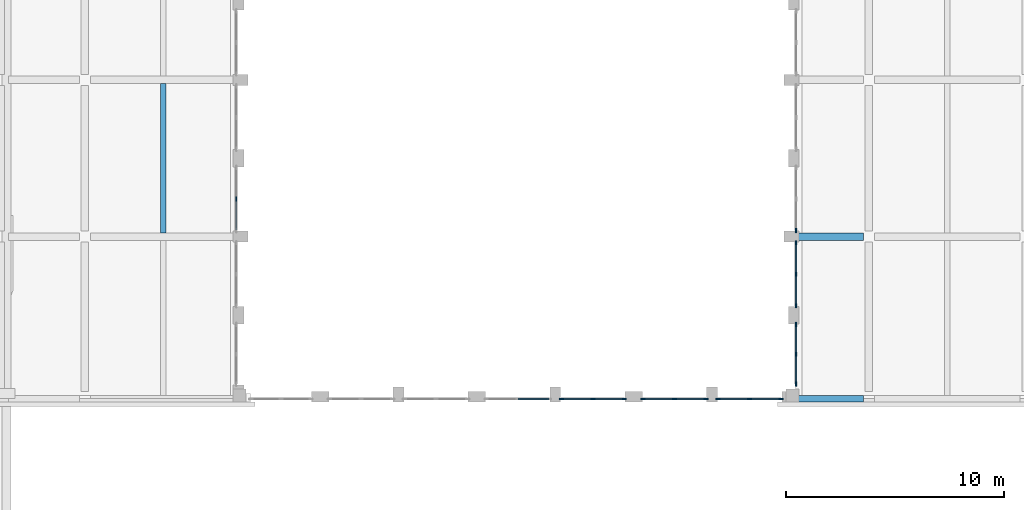
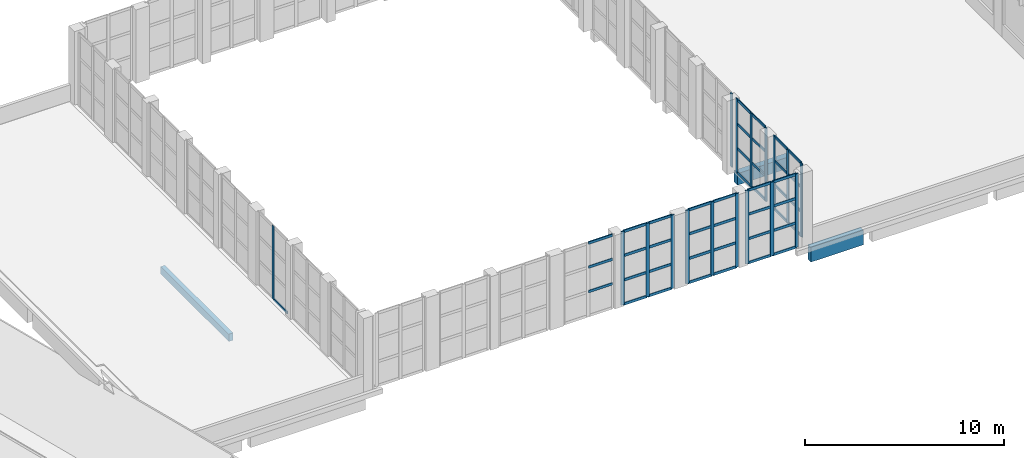
# One storey, part 3 of 44: 61 members, 3 beams, 8 elements without a shape of their own.
"""IFC4 building model written with IfcOpenShell, lengths in metres."""

from ifc_helpers import new_model, si_unit, direction, frame, origin, origin_2d, place, context, subcontext, project, spatial, rectangle, extrude, material, layer, layer_set, material_profile, profile_set, type_object, element, aggregate, save


model = new_model("IFC4")

# Units and contexts
model_context = context("Model", 3, precision=1e-05, world=origin(), true_north=direction((0.0, 1.0)))
body_context = subcontext(model_context, "Body", "Model", "MODEL_VIEW")
ifc_project = project(units=[si_unit("LENGTHUNIT", "METRE"), si_unit("AREAUNIT", "SQUARE_METRE"), si_unit("VOLUMEUNIT", "CUBIC_METRE"), si_unit("PLANEANGLEUNIT", "RADIAN"), si_unit("MASSUNIT", "GRAM", prefix="KILO")], contexts=[model_context])

# Site, building, storey
site_placement = place(None, origin())
site = spatial("IfcSite", under=ifc_project, at=site_placement, CompositionType="ELEMENT")
building_placement = place(site_placement, origin())
building = spatial("IfcBuilding", under=site, at=building_placement, Name="Ussher Court Research Institute", CompositionType="ELEMENT")
storey_placement = place(building_placement, frame((0.0, 0.0, 18.89990234375)))
storey = spatial("IfcBuildingStorey", under=building, at=storey_placement, Name="L04", CompositionType="ELEMENT", Elevation=18.89990234375)

# Curtain wall, member
ifc_material_1 = material(Name="Bronze anodised aluminium with low-e glass", Category="aluminium")
ifc_layer = layer(ifc_material_1, 0.159912109375)
ifc_layer_set = layer_set([ifc_layer], Name="Bronze anodised aluminium with low-e glass")
curtain_wall_type = type_object("IfcCurtainWallType", Name="Curtain wall atrium clerestory tall glazing", PredefinedType="NOTDEFINED", material=ifc_layer_set)
curtain_wall_1_placement = place(storey_placement, origin())
curtain_wall_1 = element("IfcCurtainWall", 1, at=curtain_wall_1_placement, inside=storey, type_object=curtain_wall_type, Name="Curtain wall CW3 L04", PredefinedType="NOTDEFINED")
ifc_material_2 = material(Name="Bronze anodised aluminium", Category="aluminium")
ifc_material_profile_1 = material_profile(ifc_material_2, rectangle(XDim=0.06005859375, YDim=0.199951171875, at=origin_2d()), Name="Mullion 60x200")
ifc_profile_set_1 = profile_set([ifc_material_profile_1], Name="Bronze anodised aluminium")
member_type_1 = type_object("IfcMemberType", Name="Mullion 60x200", PredefinedType="MULLION", material=ifc_profile_set_1)
member_1_placement = place(storey_placement, frame((64.449951171875, 18.679931640625, 0.0), z_axis=(0.0, 0.0, 1.0), x_axis=(1.0, 0.0, 0.0)))
member_1 = element("IfcMember", 2, at=member_1_placement, type_object=member_type_1, Name="CW3 mullion 3", PredefinedType="MULLION", context=body_context, shape_type="SweptSolid", body=[
    extrude(rectangle(XDim=0.06005859375, YDim=0.199951171875, at=origin_2d()), origin(), (0.0, 0.0, 1.0), 4.5),
])
aggregate(curtain_wall_1, [member_1])

# Curtain wall, members
curtain_wall_2_placement = place(storey_placement, origin())
curtain_wall_2 = element("IfcCurtainWall", 3, at=curtain_wall_2_placement, inside=storey, type_object=curtain_wall_type, Name="Curtain wall CW3 L04", PredefinedType="NOTDEFINED")
member_2_placement = place(storey_placement, frame((64.449951171875, 18.1201171875, 0.0), z_axis=(0.0, 0.0, 1.0), x_axis=(1.0, 0.0, 0.0)))
member_2 = element("IfcMember", 4, at=member_2_placement, type_object=member_type_1, Name="CW3 mullion 1", PredefinedType="MULLION", context=body_context, shape_type="SweptSolid", body=[
    extrude(rectangle(XDim=0.06005859375, YDim=0.199951171875, at=origin_2d()), origin(), (0.0, 0.0, 1.0), 4.5),
])
member_3_placement = place(storey_placement, frame((64.449951171875, 16.675048828125, 0.0), z_axis=(0.0, 0.0, 1.0), x_axis=(1.0, 0.0, 0.0)))
member_3 = element("IfcMember", 5, at=member_3_placement, type_object=member_type_1, Name="CW3 mullion 2", PredefinedType="MULLION", context=body_context, shape_type="SweptSolid", body=[
    extrude(rectangle(XDim=0.06005859375, YDim=0.199951171875, at=origin_2d()), origin(), (0.0, 0.0, 1.0), 4.5),
])
member_4_placement = place(storey_placement, frame((64.449951171875, 15.22998046875, 0.0), z_axis=(0.0, 0.0, 1.0), x_axis=(1.0, 0.0, 0.0)))
member_4 = element("IfcMember", 6, at=member_4_placement, type_object=member_type_1, Name="CW3 mullion 3", PredefinedType="MULLION", context=body_context, shape_type="SweptSolid", body=[
    extrude(rectangle(XDim=0.06005859375, YDim=0.199951171875, at=origin_2d()), origin(), (0.0, 0.0, 1.0), 4.5),
])

curtain_wall_3_placement = place(storey_placement, origin())
curtain_wall_3 = element("IfcCurtainWall", 7, at=curtain_wall_3_placement, inside=storey, type_object=curtain_wall_type, Name="Curtain wall CW3 L04", PredefinedType="NOTDEFINED")
member_5_placement = place(storey_placement, frame((64.449951171875, 14.3701171875, 0.0), z_axis=(0.0, 0.0, 1.0), x_axis=(1.0, 0.0, 0.0)))
member_5 = element("IfcMember", 8, at=member_5_placement, type_object=member_type_1, Name="CW3 mullion 1", PredefinedType="MULLION", context=body_context, shape_type="SweptSolid", body=[
    extrude(rectangle(XDim=0.06005859375, YDim=0.199951171875, at=origin_2d()), origin(), (0.0, 0.0, 1.0), 4.5),
])
member_6_placement = place(storey_placement, frame((64.449951171875, 13.0, 0.0), z_axis=(0.0, 0.0, 1.0), x_axis=(1.0, 0.0, 0.0)))
member_6 = element("IfcMember", 9, at=member_6_placement, type_object=member_type_1, Name="CW3 mullion 2", PredefinedType="MULLION", context=body_context, shape_type="SweptSolid", body=[
    extrude(rectangle(XDim=0.06005859375, YDim=0.199951171875, at=origin_2d()), origin(), (0.0, 0.0, 1.0), 4.5),
])
member_7_placement = place(storey_placement, frame((64.449951171875, 11.6298828125, 0.0), z_axis=(0.0, 0.0, 1.0), x_axis=(1.0, 0.0, 0.0)))
member_7 = element("IfcMember", 10, at=member_7_placement, type_object=member_type_1, Name="CW3 mullion 3", PredefinedType="MULLION", context=body_context, shape_type="SweptSolid", body=[
    extrude(rectangle(XDim=0.06005859375, YDim=0.199951171875, at=origin_2d()), origin(), (0.0, 0.0, 1.0), 4.5),
])

curtain_wall_4_placement = place(storey_placement, origin())
curtain_wall_4 = element("IfcCurtainWall", 11, at=curtain_wall_4_placement, inside=storey, type_object=curtain_wall_type, Name="Curtain wall CW3 L04", PredefinedType="NOTDEFINED")
member_8_placement = place(storey_placement, frame((63.77001953125, 10.949951171875, 0.0), z_axis=(0.0, 0.0, 1.0), x_axis=(0.0, -1.0, 0.0)))
member_8 = element("IfcMember", 12, at=member_8_placement, type_object=member_type_1, Name="CW3 mullion 1", PredefinedType="MULLION", context=body_context, shape_type="SweptSolid", body=[
    extrude(rectangle(XDim=0.06005859375, YDim=0.199951171875, at=origin_2d()), origin(), (0.0, 0.0, 1.0), 4.5),
])
member_9_placement = place(storey_placement, frame((62.324951171875, 10.949951171875, 0.0), z_axis=(0.0, 0.0, 1.0), x_axis=(0.0, -1.0, 0.0)))
member_9 = element("IfcMember", 13, at=member_9_placement, type_object=member_type_1, Name="CW3 mullion 2", PredefinedType="MULLION", context=body_context, shape_type="SweptSolid", body=[
    extrude(rectangle(XDim=0.06005859375, YDim=0.199951171875, at=origin_2d()), origin(), (0.0, 0.0, 1.0), 4.5),
])
member_10_placement = place(storey_placement, frame((60.8798828125, 10.949951171875, 0.0), z_axis=(0.0, 0.0, 1.0), x_axis=(0.0, -1.0, 0.0)))
member_10 = element("IfcMember", 14, at=member_10_placement, type_object=member_type_1, Name="CW3 mullion 3", PredefinedType="MULLION", context=body_context, shape_type="SweptSolid", body=[
    extrude(rectangle(XDim=0.06005859375, YDim=0.199951171875, at=origin_2d()), origin(), (0.0, 0.0, 1.0), 4.5),
])

curtain_wall_5_placement = place(storey_placement, origin())
curtain_wall_5 = element("IfcCurtainWall", 15, at=curtain_wall_5_placement, inside=storey, type_object=curtain_wall_type, Name="Curtain wall CW3 L04", PredefinedType="NOTDEFINED")
member_11_placement = place(storey_placement, frame((60.320068359375, 10.949951171875, 0.0), z_axis=(0.0, 0.0, 1.0), x_axis=(0.0, -1.0, 0.0)))
member_11 = element("IfcMember", 16, at=member_11_placement, type_object=member_type_1, Name="CW3 mullion 1", PredefinedType="MULLION", context=body_context, shape_type="SweptSolid", body=[
    extrude(rectangle(XDim=0.06005859375, YDim=0.199951171875, at=origin_2d()), origin(), (0.0, 0.0, 1.0), 4.5),
])
member_12_placement = place(storey_placement, frame((58.875, 10.949951171875, 0.0), z_axis=(0.0, 0.0, 1.0), x_axis=(0.0, -1.0, 0.0)))
member_12 = element("IfcMember", 17, at=member_12_placement, type_object=member_type_1, Name="CW3 mullion 2", PredefinedType="MULLION", context=body_context, shape_type="SweptSolid", body=[
    extrude(rectangle(XDim=0.06005859375, YDim=0.199951171875, at=origin_2d()), origin(), (0.0, 0.0, 1.0), 4.5),
])
member_13_placement = place(storey_placement, frame((57.429931640625, 10.949951171875, 0.0), z_axis=(0.0, 0.0, 1.0), x_axis=(0.0, -1.0, 0.0)))
member_13 = element("IfcMember", 18, at=member_13_placement, type_object=member_type_1, Name="CW3 mullion 3", PredefinedType="MULLION", context=body_context, shape_type="SweptSolid", body=[
    extrude(rectangle(XDim=0.06005859375, YDim=0.199951171875, at=origin_2d()), origin(), (0.0, 0.0, 1.0), 4.5),
])

curtain_wall_6_placement = place(storey_placement, origin())
curtain_wall_6 = element("IfcCurtainWall", 19, at=curtain_wall_6_placement, inside=storey, type_object=curtain_wall_type, Name="Curtain wall CW3 L04", PredefinedType="NOTDEFINED")
member_14_placement = place(storey_placement, frame((56.570068359375, 10.949951171875, 0.0), z_axis=(0.0, 0.0, 1.0), x_axis=(0.0, -1.0, 0.0)))
member_14 = element("IfcMember", 20, at=member_14_placement, type_object=member_type_1, Name="CW3 mullion 1", PredefinedType="MULLION", context=body_context, shape_type="SweptSolid", body=[
    extrude(rectangle(XDim=0.06005859375, YDim=0.199951171875, at=origin_2d()), origin(), (0.0, 0.0, 1.0), 4.5),
])
member_15_placement = place(storey_placement, frame((55.125, 10.949951171875, 0.0), z_axis=(0.0, 0.0, 1.0), x_axis=(0.0, -1.0, 0.0)))
member_15 = element("IfcMember", 21, at=member_15_placement, type_object=member_type_1, Name="CW3 mullion 2", PredefinedType="MULLION", context=body_context, shape_type="SweptSolid", body=[
    extrude(rectangle(XDim=0.06005859375, YDim=0.199951171875, at=origin_2d()), origin(), (0.0, 0.0, 1.0), 4.5),
])
member_16_placement = place(storey_placement, frame((53.679931640625, 10.949951171875, 0.0), z_axis=(0.0, 0.0, 1.0), x_axis=(0.0, -1.0, 0.0)))
member_16 = element("IfcMember", 22, at=member_16_placement, type_object=member_type_1, Name="CW3 mullion 3", PredefinedType="MULLION", context=body_context, shape_type="SweptSolid", body=[
    extrude(rectangle(XDim=0.06005859375, YDim=0.199951171875, at=origin_2d()), origin(), (0.0, 0.0, 1.0), 4.5),
])

# Curtain wall, member
curtain_wall_7_placement = place(storey_placement, origin())
curtain_wall_7 = element("IfcCurtainWall", 23, at=curtain_wall_7_placement, inside=storey, type_object=curtain_wall_type, Name="Curtain wall CW3 L04", PredefinedType="NOTDEFINED")
member_17_placement = place(storey_placement, frame((38.75, 20.125, 0.0), z_axis=(0.0, 0.0, 1.0), x_axis=(-1.0, 0.0, 0.0)))
member_17 = element("IfcMember", 24, at=member_17_placement, type_object=member_type_1, Name="CW3 mullion 2", PredefinedType="MULLION", context=body_context, shape_type="SweptSolid", body=[
    extrude(rectangle(XDim=0.06005859375, YDim=0.199951171875, at=origin_2d()), origin(), (0.0, 0.0, 1.0), 4.5),
])

# Beams
ifc_material_3 = material(Name="Concrete C35/45", Category="concrete")
ifc_material_profile_2 = material_profile(ifc_material_3, rectangle(XDim=0.25, YDim=0.449951171875, at=origin_2d()), Name="RC 250x450")
ifc_profile_set_2 = profile_set([ifc_material_profile_2], Name="Concrete C35/45")
beam_type_1 = type_object("IfcBeamType", Name="RC 250x450 beam", PredefinedType="BEAM", material=ifc_profile_set_2)
beam_1_placement = place(storey_placement, frame((35.39990234375, 18.574951171875, -0.224853515625), z_axis=(0.0, 1.0, 0.0), x_axis=(-1.0, 0.0, 0.0)))
element("IfcBeam", 25, at=beam_1_placement, inside=storey, type_object=beam_type_1, Name="B1 V7 L04-02", PredefinedType="BEAM", context=body_context, shape_type="SweptSolid", body=[
    extrude(rectangle(XDim=0.25, YDim=0.449951171875, at=origin_2d()), origin(), (0.0, 0.0, 1.0), 6.85009765625),
])
ifc_material_4 = material(Name="Concrete C35/45", Category="concrete")
ifc_material_profile_3 = material_profile(ifc_material_4, rectangle(XDim=0.300048828125, YDim=0.89990234375, at=origin_2d()), Name="RC 300x900")
ifc_profile_set_3 = profile_set([ifc_material_profile_3], Name="Concrete C35/45")
beam_type_2 = type_object("IfcBeamType", Name="RC 300x900 beam", PredefinedType="BEAM", material=ifc_profile_set_3)
beam_2_placement = place(storey_placement, frame((64.5, 10.949951171875, -0.64990234375), z_axis=(1.0, 0.0, 0.0), x_axis=(0.0, 1.0, 0.0)))
element("IfcBeam", 26, at=beam_2_placement, inside=storey, type_object=beam_type_2, Name="SB2 V7 L04-03", PredefinedType="BEAM", context=body_context, shape_type="SweptSolid", body=[
    extrude(rectangle(XDim=0.300048828125, YDim=0.89990234375, at=origin_2d()), origin(), (0.0, 0.0, 1.0), 3.050048828125),
])
ifc_material_5 = material(Name="Concrete C35/45", Category="concrete")
ifc_material_profile_4 = material_profile(ifc_material_5, rectangle(XDim=0.35009765625, YDim=0.699951171875, at=origin_2d()), Name="RC 350x700")
ifc_profile_set_4 = profile_set([ifc_material_profile_4], Name="Concrete C35/45")
beam_type_3 = type_object("IfcBeamType", Name="RC 350x700 beam", PredefinedType="BEAM", material=ifc_profile_set_4)
beam_3_placement = place(storey_placement, frame((64.550048828125, 18.39990234375, -0.5498046875), z_axis=(1.0, 0.0, 0.0), x_axis=(0.0, 1.0, 0.0)))
element("IfcBeam", 27, at=beam_3_placement, inside=storey, type_object=beam_type_3, Name="B16 V7 L04-03", PredefinedType="BEAM", context=body_context, shape_type="SweptSolid", body=[
    extrude(rectangle(XDim=0.35009765625, YDim=0.699951171875, at=origin_2d()), origin(), (0.0, 0.0, 1.0), 3.0),
])

# Member
ifc_material_6 = material(Name="Bronze anodised aluminium", Category="aluminium")
ifc_material_profile_5 = material_profile(ifc_material_6, rectangle(XDim=0.06005859375, YDim=0.159912109375, at=origin_2d()), Name="Transom 60x160")
ifc_profile_set_5 = profile_set([ifc_material_profile_5], Name="Bronze anodised aluminium")
member_type_2 = type_object("IfcMemberType", Name="Transom 60x160", PredefinedType="USERDEFINED", material=ifc_profile_set_5)
member_18_placement = place(storey_placement, frame((64.449951171875, 18.090087890625, 0.030029296875), z_axis=(0.0, -1.0, 0.0), x_axis=(1.0, 0.0, 0.0)))
member_18 = element("IfcMember", 28, at=member_18_placement, type_object=member_type_2, Name="CW3 transom 1.1", ObjectType="TRANSOM", PredefinedType="USERDEFINED", context=body_context, shape_type="SweptSolid", body=[
    extrude(rectangle(XDim=0.06005859375, YDim=0.159912109375, at=origin_2d()), origin(), (0.0, 0.0, 1.0), 1.385009765625),
])

member_19_placement = place(storey_placement, frame((64.449951171875, 18.090087890625, 1.5), z_axis=(0.0, -1.0, 0.0), x_axis=(1.0, 0.0, 0.0)))
member_19 = element("IfcMember", 29, at=member_19_placement, type_object=member_type_2, Name="CW3 transom 1.2", ObjectType="TRANSOM", PredefinedType="USERDEFINED", context=body_context, shape_type="SweptSolid", body=[
    extrude(rectangle(XDim=0.06005859375, YDim=0.159912109375, at=origin_2d()), origin(), (0.0, 0.0, 1.0), 1.385009765625),
])

member_20_placement = place(storey_placement, frame((64.449951171875, 18.090087890625, 3.0), z_axis=(0.0, -1.0, 0.0), x_axis=(1.0, 0.0, 0.0)))
member_20 = element("IfcMember", 30, at=member_20_placement, type_object=member_type_2, Name="CW3 transom 1.3", ObjectType="TRANSOM", PredefinedType="USERDEFINED", context=body_context, shape_type="SweptSolid", body=[
    extrude(rectangle(XDim=0.06005859375, YDim=0.159912109375, at=origin_2d()), origin(), (0.0, 0.0, 1.0), 1.385009765625),
])

member_21_placement = place(storey_placement, frame((64.449951171875, 18.090087890625, 4.47021484375), z_axis=(0.0, -1.0, 0.0), x_axis=(1.0, 0.0, 0.0)))
member_21 = element("IfcMember", 31, at=member_21_placement, type_object=member_type_2, Name="CW3 transom 1.4", ObjectType="TRANSOM", PredefinedType="USERDEFINED", context=body_context, shape_type="SweptSolid", body=[
    extrude(rectangle(XDim=0.06005859375, YDim=0.159912109375, at=origin_2d()), origin(), (0.0, 0.0, 1.0), 1.385009765625),
])

member_22_placement = place(storey_placement, frame((64.449951171875, 16.64501953125, 0.030029296875), z_axis=(0.0, -1.0, 0.0), x_axis=(1.0, 0.0, 0.0)))
member_22 = element("IfcMember", 32, at=member_22_placement, type_object=member_type_2, Name="CW3 transom 2.1", ObjectType="TRANSOM", PredefinedType="USERDEFINED", context=body_context, shape_type="SweptSolid", body=[
    extrude(rectangle(XDim=0.06005859375, YDim=0.159912109375, at=origin_2d()), origin(), (0.0, 0.0, 1.0), 1.385009765625),
])

member_23_placement = place(storey_placement, frame((64.449951171875, 16.64501953125, 1.5), z_axis=(0.0, -1.0, 0.0), x_axis=(1.0, 0.0, 0.0)))
member_23 = element("IfcMember", 33, at=member_23_placement, type_object=member_type_2, Name="CW3 transom 2.2", ObjectType="TRANSOM", PredefinedType="USERDEFINED", context=body_context, shape_type="SweptSolid", body=[
    extrude(rectangle(XDim=0.06005859375, YDim=0.159912109375, at=origin_2d()), origin(), (0.0, 0.0, 1.0), 1.385009765625),
])

member_24_placement = place(storey_placement, frame((64.449951171875, 16.64501953125, 3.0), z_axis=(0.0, -1.0, 0.0), x_axis=(1.0, 0.0, 0.0)))
member_24 = element("IfcMember", 34, at=member_24_placement, type_object=member_type_2, Name="CW3 transom 2.3", ObjectType="TRANSOM", PredefinedType="USERDEFINED", context=body_context, shape_type="SweptSolid", body=[
    extrude(rectangle(XDim=0.06005859375, YDim=0.159912109375, at=origin_2d()), origin(), (0.0, 0.0, 1.0), 1.385009765625),
])

member_25_placement = place(storey_placement, frame((64.449951171875, 16.64501953125, 4.47021484375), z_axis=(0.0, -1.0, 0.0), x_axis=(1.0, 0.0, 0.0)))
member_25 = element("IfcMember", 35, at=member_25_placement, type_object=member_type_2, Name="CW3 transom 2.4", ObjectType="TRANSOM", PredefinedType="USERDEFINED", context=body_context, shape_type="SweptSolid", body=[
    extrude(rectangle(XDim=0.06005859375, YDim=0.159912109375, at=origin_2d()), origin(), (0.0, 0.0, 1.0), 1.385009765625),
])

aggregate(curtain_wall_2, [member_2, member_3, member_4, member_18, member_19, member_20, member_21, member_22, member_23, member_24, member_25])

member_26_placement = place(storey_placement, frame((64.449951171875, 14.340087890625, 0.030029296875), z_axis=(0.0, -1.0, 0.0), x_axis=(1.0, 0.0, 0.0)))
member_26 = element("IfcMember", 36, at=member_26_placement, type_object=member_type_2, Name="CW3 transom 1.1", ObjectType="TRANSOM", PredefinedType="USERDEFINED", context=body_context, shape_type="SweptSolid", body=[
    extrude(rectangle(XDim=0.06005859375, YDim=0.159912109375, at=origin_2d()), origin(), (0.0, 0.0, 1.0), 1.31005859375),
])

member_27_placement = place(storey_placement, frame((64.449951171875, 14.340087890625, 1.5), z_axis=(0.0, -1.0, 0.0), x_axis=(1.0, 0.0, 0.0)))
member_27 = element("IfcMember", 37, at=member_27_placement, type_object=member_type_2, Name="CW3 transom 1.2", ObjectType="TRANSOM", PredefinedType="USERDEFINED", context=body_context, shape_type="SweptSolid", body=[
    extrude(rectangle(XDim=0.06005859375, YDim=0.159912109375, at=origin_2d()), origin(), (0.0, 0.0, 1.0), 1.31005859375),
])

member_28_placement = place(storey_placement, frame((64.449951171875, 14.340087890625, 3.0), z_axis=(0.0, -1.0, 0.0), x_axis=(1.0, 0.0, 0.0)))
member_28 = element("IfcMember", 38, at=member_28_placement, type_object=member_type_2, Name="CW3 transom 1.3", ObjectType="TRANSOM", PredefinedType="USERDEFINED", context=body_context, shape_type="SweptSolid", body=[
    extrude(rectangle(XDim=0.06005859375, YDim=0.159912109375, at=origin_2d()), origin(), (0.0, 0.0, 1.0), 1.31005859375),
])

member_29_placement = place(storey_placement, frame((64.449951171875, 14.340087890625, 4.47021484375), z_axis=(0.0, -1.0, 0.0), x_axis=(1.0, 0.0, 0.0)))
member_29 = element("IfcMember", 39, at=member_29_placement, type_object=member_type_2, Name="CW3 transom 1.4", ObjectType="TRANSOM", PredefinedType="USERDEFINED", context=body_context, shape_type="SweptSolid", body=[
    extrude(rectangle(XDim=0.06005859375, YDim=0.159912109375, at=origin_2d()), origin(), (0.0, 0.0, 1.0), 1.31005859375),
])

member_30_placement = place(storey_placement, frame((64.449951171875, 12.969970703125, 0.030029296875), z_axis=(0.0, -1.0, 0.0), x_axis=(1.0, 0.0, 0.0)))
member_30 = element("IfcMember", 40, at=member_30_placement, type_object=member_type_2, Name="CW3 transom 2.1", ObjectType="TRANSOM", PredefinedType="USERDEFINED", context=body_context, shape_type="SweptSolid", body=[
    extrude(rectangle(XDim=0.06005859375, YDim=0.159912109375, at=origin_2d()), origin(), (0.0, 0.0, 1.0), 1.31005859375),
])

member_31_placement = place(storey_placement, frame((64.449951171875, 12.969970703125, 1.5), z_axis=(0.0, -1.0, 0.0), x_axis=(1.0, 0.0, 0.0)))
member_31 = element("IfcMember", 41, at=member_31_placement, type_object=member_type_2, Name="CW3 transom 2.2", ObjectType="TRANSOM", PredefinedType="USERDEFINED", context=body_context, shape_type="SweptSolid", body=[
    extrude(rectangle(XDim=0.06005859375, YDim=0.159912109375, at=origin_2d()), origin(), (0.0, 0.0, 1.0), 1.31005859375),
])

member_32_placement = place(storey_placement, frame((64.449951171875, 12.969970703125, 3.0), z_axis=(0.0, -1.0, 0.0), x_axis=(1.0, 0.0, 0.0)))
member_32 = element("IfcMember", 42, at=member_32_placement, type_object=member_type_2, Name="CW3 transom 2.3", ObjectType="TRANSOM", PredefinedType="USERDEFINED", context=body_context, shape_type="SweptSolid", body=[
    extrude(rectangle(XDim=0.06005859375, YDim=0.159912109375, at=origin_2d()), origin(), (0.0, 0.0, 1.0), 1.31005859375),
])

member_33_placement = place(storey_placement, frame((64.449951171875, 12.969970703125, 4.47021484375), z_axis=(0.0, -1.0, 0.0), x_axis=(1.0, 0.0, 0.0)))
member_33 = element("IfcMember", 43, at=member_33_placement, type_object=member_type_2, Name="CW3 transom 2.4", ObjectType="TRANSOM", PredefinedType="USERDEFINED", context=body_context, shape_type="SweptSolid", body=[
    extrude(rectangle(XDim=0.06005859375, YDim=0.159912109375, at=origin_2d()), origin(), (0.0, 0.0, 1.0), 1.31005859375),
])

aggregate(curtain_wall_3, [member_5, member_6, member_7, member_26, member_27, member_28, member_29, member_30, member_31, member_32, member_33])

member_34_placement = place(storey_placement, frame((63.739990234375, 10.949951171875, 0.030029296875), z_axis=(-1.0, 0.0, 0.0), x_axis=(0.0, -1.0, 0.0)))
member_34 = element("IfcMember", 44, at=member_34_placement, type_object=member_type_2, Name="CW3 transom 1.1", ObjectType="TRANSOM", PredefinedType="USERDEFINED", context=body_context, shape_type="SweptSolid", body=[
    extrude(rectangle(XDim=0.06005859375, YDim=0.159912109375, at=origin_2d()), origin(), (0.0, 0.0, 1.0), 1.385009765625),
])

member_35_placement = place(storey_placement, frame((63.739990234375, 10.949951171875, 1.5), z_axis=(-1.0, 0.0, 0.0), x_axis=(0.0, -1.0, 0.0)))
member_35 = element("IfcMember", 45, at=member_35_placement, type_object=member_type_2, Name="CW3 transom 1.2", ObjectType="TRANSOM", PredefinedType="USERDEFINED", context=body_context, shape_type="SweptSolid", body=[
    extrude(rectangle(XDim=0.06005859375, YDim=0.159912109375, at=origin_2d()), origin(), (0.0, 0.0, 1.0), 1.385009765625),
])

member_36_placement = place(storey_placement, frame((63.739990234375, 10.949951171875, 3.0), z_axis=(-1.0, 0.0, 0.0), x_axis=(0.0, -1.0, 0.0)))
member_36 = element("IfcMember", 46, at=member_36_placement, type_object=member_type_2, Name="CW3 transom 1.3", ObjectType="TRANSOM", PredefinedType="USERDEFINED", context=body_context, shape_type="SweptSolid", body=[
    extrude(rectangle(XDim=0.06005859375, YDim=0.159912109375, at=origin_2d()), origin(), (0.0, 0.0, 1.0), 1.385009765625),
])

member_37_placement = place(storey_placement, frame((63.739990234375, 10.949951171875, 4.47021484375), z_axis=(-1.0, 0.0, 0.0), x_axis=(0.0, -1.0, 0.0)))
member_37 = element("IfcMember", 47, at=member_37_placement, type_object=member_type_2, Name="CW3 transom 1.4", ObjectType="TRANSOM", PredefinedType="USERDEFINED", context=body_context, shape_type="SweptSolid", body=[
    extrude(rectangle(XDim=0.06005859375, YDim=0.159912109375, at=origin_2d()), origin(), (0.0, 0.0, 1.0), 1.385009765625),
])

member_38_placement = place(storey_placement, frame((62.294921875, 10.949951171875, 0.030029296875), z_axis=(-1.0, 0.0, 0.0), x_axis=(0.0, -1.0, 0.0)))
member_38 = element("IfcMember", 48, at=member_38_placement, type_object=member_type_2, Name="CW3 transom 2.1", ObjectType="TRANSOM", PredefinedType="USERDEFINED", context=body_context, shape_type="SweptSolid", body=[
    extrude(rectangle(XDim=0.06005859375, YDim=0.159912109375, at=origin_2d()), origin(), (0.0, 0.0, 1.0), 1.385009765625),
])

member_39_placement = place(storey_placement, frame((62.294921875, 10.949951171875, 1.5), z_axis=(-1.0, 0.0, 0.0), x_axis=(0.0, -1.0, 0.0)))
member_39 = element("IfcMember", 49, at=member_39_placement, type_object=member_type_2, Name="CW3 transom 2.2", ObjectType="TRANSOM", PredefinedType="USERDEFINED", context=body_context, shape_type="SweptSolid", body=[
    extrude(rectangle(XDim=0.06005859375, YDim=0.159912109375, at=origin_2d()), origin(), (0.0, 0.0, 1.0), 1.385009765625),
])

member_40_placement = place(storey_placement, frame((62.294921875, 10.949951171875, 3.0), z_axis=(-1.0, 0.0, 0.0), x_axis=(0.0, -1.0, 0.0)))
member_40 = element("IfcMember", 50, at=member_40_placement, type_object=member_type_2, Name="CW3 transom 2.3", ObjectType="TRANSOM", PredefinedType="USERDEFINED", context=body_context, shape_type="SweptSolid", body=[
    extrude(rectangle(XDim=0.06005859375, YDim=0.159912109375, at=origin_2d()), origin(), (0.0, 0.0, 1.0), 1.385009765625),
])

member_41_placement = place(storey_placement, frame((62.294921875, 10.949951171875, 4.47021484375), z_axis=(-1.0, 0.0, 0.0), x_axis=(0.0, -1.0, 0.0)))
member_41 = element("IfcMember", 51, at=member_41_placement, type_object=member_type_2, Name="CW3 transom 2.4", ObjectType="TRANSOM", PredefinedType="USERDEFINED", context=body_context, shape_type="SweptSolid", body=[
    extrude(rectangle(XDim=0.06005859375, YDim=0.159912109375, at=origin_2d()), origin(), (0.0, 0.0, 1.0), 1.385009765625),
])

aggregate(curtain_wall_4, [member_8, member_9, member_10, member_34, member_35, member_36, member_37, member_38, member_39, member_40, member_41])

member_42_placement = place(storey_placement, frame((60.2900390625, 10.949951171875, 0.030029296875), z_axis=(-1.0, 0.0, 0.0), x_axis=(0.0, -1.0, 0.0)))
member_42 = element("IfcMember", 52, at=member_42_placement, type_object=member_type_2, Name="CW3 transom 1.1", ObjectType="TRANSOM", PredefinedType="USERDEFINED", context=body_context, shape_type="SweptSolid", body=[
    extrude(rectangle(XDim=0.06005859375, YDim=0.159912109375, at=origin_2d()), origin(), (0.0, 0.0, 1.0), 1.385009765625),
])

member_43_placement = place(storey_placement, frame((60.2900390625, 10.949951171875, 1.5), z_axis=(-1.0, 0.0, 0.0), x_axis=(0.0, -1.0, 0.0)))
member_43 = element("IfcMember", 53, at=member_43_placement, type_object=member_type_2, Name="CW3 transom 1.2", ObjectType="TRANSOM", PredefinedType="USERDEFINED", context=body_context, shape_type="SweptSolid", body=[
    extrude(rectangle(XDim=0.06005859375, YDim=0.159912109375, at=origin_2d()), origin(), (0.0, 0.0, 1.0), 1.385009765625),
])

member_44_placement = place(storey_placement, frame((60.2900390625, 10.949951171875, 3.0), z_axis=(-1.0, 0.0, 0.0), x_axis=(0.0, -1.0, 0.0)))
member_44 = element("IfcMember", 54, at=member_44_placement, type_object=member_type_2, Name="CW3 transom 1.3", ObjectType="TRANSOM", PredefinedType="USERDEFINED", context=body_context, shape_type="SweptSolid", body=[
    extrude(rectangle(XDim=0.06005859375, YDim=0.159912109375, at=origin_2d()), origin(), (0.0, 0.0, 1.0), 1.385009765625),
])

member_45_placement = place(storey_placement, frame((60.2900390625, 10.949951171875, 4.47021484375), z_axis=(-1.0, 0.0, 0.0), x_axis=(0.0, -1.0, 0.0)))
member_45 = element("IfcMember", 55, at=member_45_placement, type_object=member_type_2, Name="CW3 transom 1.4", ObjectType="TRANSOM", PredefinedType="USERDEFINED", context=body_context, shape_type="SweptSolid", body=[
    extrude(rectangle(XDim=0.06005859375, YDim=0.159912109375, at=origin_2d()), origin(), (0.0, 0.0, 1.0), 1.385009765625),
])

member_46_placement = place(storey_placement, frame((58.844970703125, 10.949951171875, 0.030029296875), z_axis=(-1.0, 0.0, 0.0), x_axis=(0.0, -1.0, 0.0)))
member_46 = element("IfcMember", 56, at=member_46_placement, type_object=member_type_2, Name="CW3 transom 2.1", ObjectType="TRANSOM", PredefinedType="USERDEFINED", context=body_context, shape_type="SweptSolid", body=[
    extrude(rectangle(XDim=0.06005859375, YDim=0.159912109375, at=origin_2d()), origin(), (0.0, 0.0, 1.0), 1.385009765625),
])

member_47_placement = place(storey_placement, frame((58.844970703125, 10.949951171875, 1.5), z_axis=(-1.0, 0.0, 0.0), x_axis=(0.0, -1.0, 0.0)))
member_47 = element("IfcMember", 57, at=member_47_placement, type_object=member_type_2, Name="CW3 transom 2.2", ObjectType="TRANSOM", PredefinedType="USERDEFINED", context=body_context, shape_type="SweptSolid", body=[
    extrude(rectangle(XDim=0.06005859375, YDim=0.159912109375, at=origin_2d()), origin(), (0.0, 0.0, 1.0), 1.385009765625),
])

member_48_placement = place(storey_placement, frame((58.844970703125, 10.949951171875, 3.0), z_axis=(-1.0, 0.0, 0.0), x_axis=(0.0, -1.0, 0.0)))
member_48 = element("IfcMember", 58, at=member_48_placement, type_object=member_type_2, Name="CW3 transom 2.3", ObjectType="TRANSOM", PredefinedType="USERDEFINED", context=body_context, shape_type="SweptSolid", body=[
    extrude(rectangle(XDim=0.06005859375, YDim=0.159912109375, at=origin_2d()), origin(), (0.0, 0.0, 1.0), 1.385009765625),
])

member_49_placement = place(storey_placement, frame((58.844970703125, 10.949951171875, 4.47021484375), z_axis=(-1.0, 0.0, 0.0), x_axis=(0.0, -1.0, 0.0)))
member_49 = element("IfcMember", 59, at=member_49_placement, type_object=member_type_2, Name="CW3 transom 2.4", ObjectType="TRANSOM", PredefinedType="USERDEFINED", context=body_context, shape_type="SweptSolid", body=[
    extrude(rectangle(XDim=0.06005859375, YDim=0.159912109375, at=origin_2d()), origin(), (0.0, 0.0, 1.0), 1.385009765625),
])

aggregate(curtain_wall_5, [member_11, member_12, member_13, member_42, member_43, member_44, member_45, member_46, member_47, member_48, member_49])

member_50_placement = place(storey_placement, frame((56.5400390625, 10.949951171875, 0.030029296875), z_axis=(-1.0, 0.0, 0.0), x_axis=(0.0, -1.0, 0.0)))
member_50 = element("IfcMember", 60, at=member_50_placement, type_object=member_type_2, Name="CW3 transom 1.1", ObjectType="TRANSOM", PredefinedType="USERDEFINED", context=body_context, shape_type="SweptSolid", body=[
    extrude(rectangle(XDim=0.06005859375, YDim=0.159912109375, at=origin_2d()), origin(), (0.0, 0.0, 1.0), 1.385009765625),
])

member_51_placement = place(storey_placement, frame((56.5400390625, 10.949951171875, 1.5), z_axis=(-1.0, 0.0, 0.0), x_axis=(0.0, -1.0, 0.0)))
member_51 = element("IfcMember", 61, at=member_51_placement, type_object=member_type_2, Name="CW3 transom 1.2", ObjectType="TRANSOM", PredefinedType="USERDEFINED", context=body_context, shape_type="SweptSolid", body=[
    extrude(rectangle(XDim=0.06005859375, YDim=0.159912109375, at=origin_2d()), origin(), (0.0, 0.0, 1.0), 1.385009765625),
])

member_52_placement = place(storey_placement, frame((56.5400390625, 10.949951171875, 3.0), z_axis=(-1.0, 0.0, 0.0), x_axis=(0.0, -1.0, 0.0)))
member_52 = element("IfcMember", 62, at=member_52_placement, type_object=member_type_2, Name="CW3 transom 1.3", ObjectType="TRANSOM", PredefinedType="USERDEFINED", context=body_context, shape_type="SweptSolid", body=[
    extrude(rectangle(XDim=0.06005859375, YDim=0.159912109375, at=origin_2d()), origin(), (0.0, 0.0, 1.0), 1.385009765625),
])

member_53_placement = place(storey_placement, frame((56.5400390625, 10.949951171875, 4.47021484375), z_axis=(-1.0, 0.0, 0.0), x_axis=(0.0, -1.0, 0.0)))
member_53 = element("IfcMember", 63, at=member_53_placement, type_object=member_type_2, Name="CW3 transom 1.4", ObjectType="TRANSOM", PredefinedType="USERDEFINED", context=body_context, shape_type="SweptSolid", body=[
    extrude(rectangle(XDim=0.06005859375, YDim=0.159912109375, at=origin_2d()), origin(), (0.0, 0.0, 1.0), 1.385009765625),
])

member_54_placement = place(storey_placement, frame((55.094970703125, 10.949951171875, 0.030029296875), z_axis=(-1.0, 0.0, 0.0), x_axis=(0.0, -1.0, 0.0)))
member_54 = element("IfcMember", 64, at=member_54_placement, type_object=member_type_2, Name="CW3 transom 2.1", ObjectType="TRANSOM", PredefinedType="USERDEFINED", context=body_context, shape_type="SweptSolid", body=[
    extrude(rectangle(XDim=0.06005859375, YDim=0.159912109375, at=origin_2d()), origin(), (0.0, 0.0, 1.0), 1.385009765625),
])

member_55_placement = place(storey_placement, frame((55.094970703125, 10.949951171875, 1.5), z_axis=(-1.0, 0.0, 0.0), x_axis=(0.0, -1.0, 0.0)))
member_55 = element("IfcMember", 65, at=member_55_placement, type_object=member_type_2, Name="CW3 transom 2.2", ObjectType="TRANSOM", PredefinedType="USERDEFINED", context=body_context, shape_type="SweptSolid", body=[
    extrude(rectangle(XDim=0.06005859375, YDim=0.159912109375, at=origin_2d()), origin(), (0.0, 0.0, 1.0), 1.385009765625),
])

member_56_placement = place(storey_placement, frame((55.094970703125, 10.949951171875, 3.0), z_axis=(-1.0, 0.0, 0.0), x_axis=(0.0, -1.0, 0.0)))
member_56 = element("IfcMember", 66, at=member_56_placement, type_object=member_type_2, Name="CW3 transom 2.3", ObjectType="TRANSOM", PredefinedType="USERDEFINED", context=body_context, shape_type="SweptSolid", body=[
    extrude(rectangle(XDim=0.06005859375, YDim=0.159912109375, at=origin_2d()), origin(), (0.0, 0.0, 1.0), 1.385009765625),
])

member_57_placement = place(storey_placement, frame((55.094970703125, 10.949951171875, 4.47021484375), z_axis=(-1.0, 0.0, 0.0), x_axis=(0.0, -1.0, 0.0)))
member_57 = element("IfcMember", 67, at=member_57_placement, type_object=member_type_2, Name="CW3 transom 2.4", ObjectType="TRANSOM", PredefinedType="USERDEFINED", context=body_context, shape_type="SweptSolid", body=[
    extrude(rectangle(XDim=0.06005859375, YDim=0.159912109375, at=origin_2d()), origin(), (0.0, 0.0, 1.0), 1.385009765625),
])

aggregate(curtain_wall_6, [member_14, member_15, member_16, member_50, member_51, member_52, member_53, member_54, member_55, member_56, member_57])

# Curtain wall, members
curtain_wall_8_placement = place(storey_placement, origin())
curtain_wall_8 = element("IfcCurtainWall", 68, at=curtain_wall_8_placement, inside=storey, type_object=curtain_wall_type, Name="Curtain wall CW3 L04", PredefinedType="NOTDEFINED")
member_58_placement = place(storey_placement, frame((53.090087890625, 10.949951171875, 1.5), z_axis=(-1.0, 0.0, 0.0), x_axis=(0.0, -1.0, 0.0)))
member_58 = element("IfcMember", 69, at=member_58_placement, type_object=member_type_2, Name="CW3 transom 1.2", ObjectType="TRANSOM", PredefinedType="USERDEFINED", context=body_context, shape_type="SweptSolid", body=[
    extrude(rectangle(XDim=0.06005859375, YDim=0.159912109375, at=origin_2d()), origin(), (0.0, 0.0, 1.0), 1.385009765625),
])
member_59_placement = place(storey_placement, frame((53.090087890625, 10.949951171875, 3.0), z_axis=(-1.0, 0.0, 0.0), x_axis=(0.0, -1.0, 0.0)))
member_59 = element("IfcMember", 70, at=member_59_placement, type_object=member_type_2, Name="CW3 transom 1.3", ObjectType="TRANSOM", PredefinedType="USERDEFINED", context=body_context, shape_type="SweptSolid", body=[
    extrude(rectangle(XDim=0.06005859375, YDim=0.159912109375, at=origin_2d()), origin(), (0.0, 0.0, 1.0), 1.385009765625),
])
member_60_placement = place(storey_placement, frame((53.090087890625, 10.949951171875, 4.47021484375), z_axis=(-1.0, 0.0, 0.0), x_axis=(0.0, -1.0, 0.0)))
member_60 = element("IfcMember", 71, at=member_60_placement, type_object=member_type_2, Name="CW3 transom 1.4", ObjectType="TRANSOM", PredefinedType="USERDEFINED", context=body_context, shape_type="SweptSolid", body=[
    extrude(rectangle(XDim=0.06005859375, YDim=0.159912109375, at=origin_2d()), origin(), (0.0, 0.0, 1.0), 1.385009765625),
])
aggregate(curtain_wall_8, [member_58, member_59, member_60])

# Member
member_61_placement = place(storey_placement, frame((38.75, 18.7099609375, 0.030029296875), z_axis=(0.0, 1.0, 0.0), x_axis=(-1.0, 0.0, 0.0)))
member_61 = element("IfcMember", 72, at=member_61_placement, type_object=member_type_2, Name="CW3 transom 1.1", ObjectType="TRANSOM", PredefinedType="USERDEFINED", context=body_context, shape_type="SweptSolid", body=[
    extrude(rectangle(XDim=0.06005859375, YDim=0.159912109375, at=origin_2d()), origin(), (0.0, 0.0, 1.0), 1.385009765625),
])

aggregate(curtain_wall_7, [member_17, member_61])

save(model, "model.ifc")
